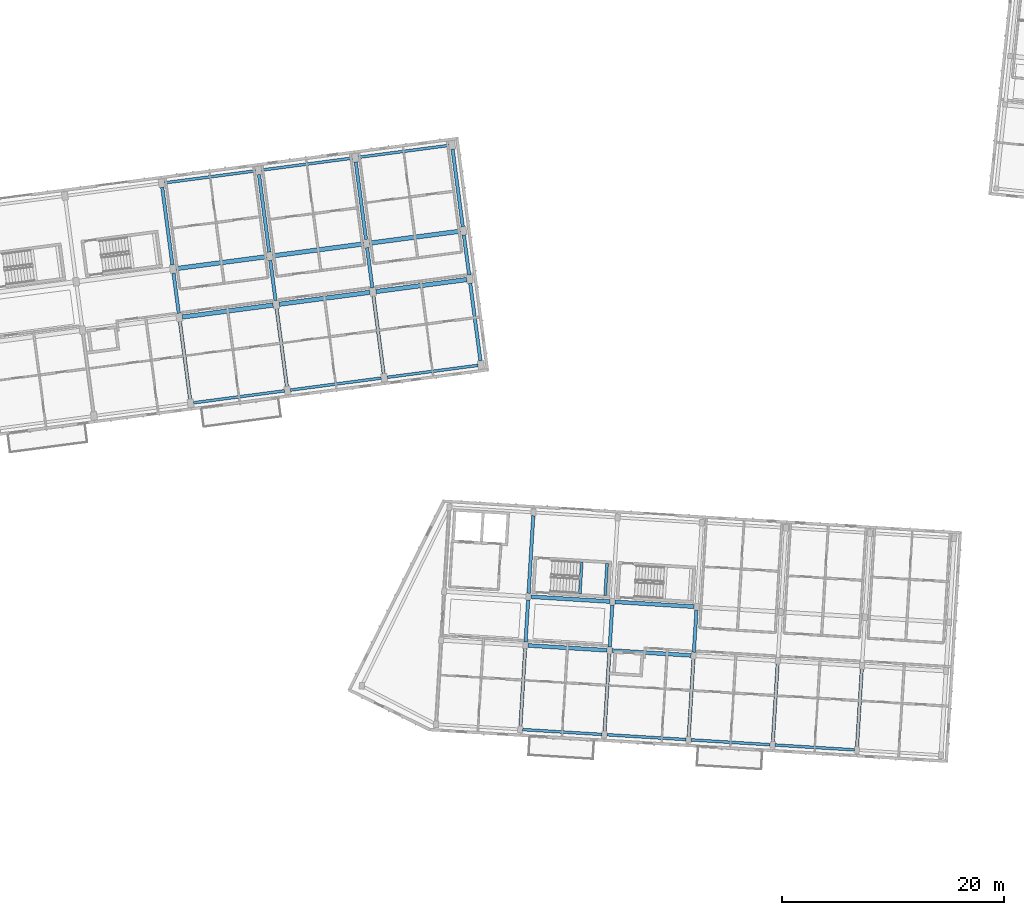
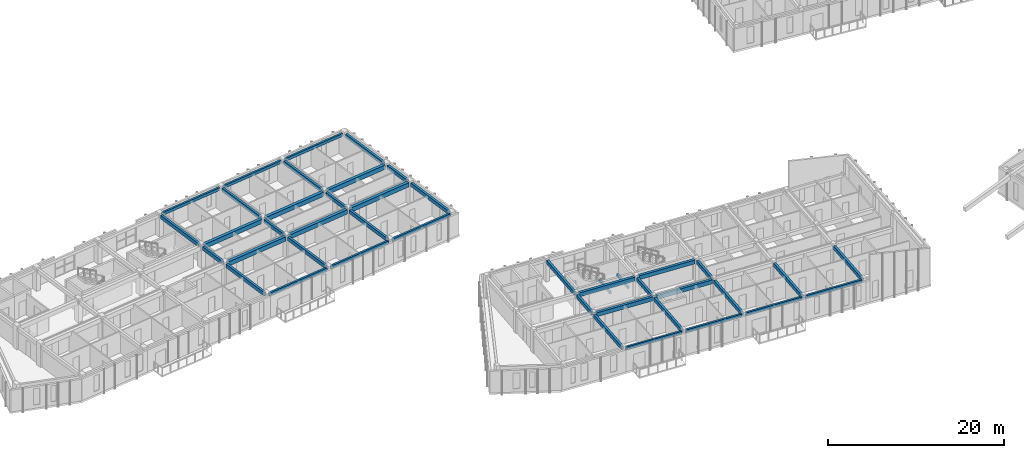
# One storey, part 6 of 64: 43 beams.
"""IFC4 building model written with IfcOpenShell, lengths in metres."""

from ifc_helpers import new_model, si_unit, direction, frame, origin, origin_2d, place, context, subcontext, project, spatial, rectangle, extrude, material, material_profile, profile_set, type_object, element, save


model = new_model("IFC4")

# Units and contexts
model_context = context("Model", 3, precision=1e-05, world=origin(), true_north=direction((0.0, 1.0)))
body_context = subcontext(model_context, "Body", "Model", "MODEL_VIEW")
ifc_project = project(units=[si_unit("LENGTHUNIT", "METRE"), si_unit("AREAUNIT", "SQUARE_METRE"), si_unit("VOLUMEUNIT", "CUBIC_METRE"), si_unit("PLANEANGLEUNIT", "RADIAN"), si_unit("MASSUNIT", "GRAM", prefix="KILO")], contexts=[model_context])

# Site, building, storey
site_placement = place(None, origin())
site = spatial("IfcSite", under=ifc_project, at=site_placement, CompositionType="ELEMENT")
building_placement = place(site_placement, origin())
building = spatial("IfcBuilding", under=site, at=building_placement, Name="Kestramere Prow Commons", CompositionType="ELEMENT")
storey_placement = place(building_placement, frame((0.0, 0.0, 24.64990234375)))
storey = spatial("IfcBuildingStorey", under=building, at=storey_placement, Name="L07", CompositionType="ELEMENT", Elevation=24.64990234375)

# Beams
ifc_material_1 = material(Name="Precast concrete C40/50", Category="concrete")
ifc_material_profile_1 = material_profile(ifc_material_1, rectangle(XDim=0.39990234375, YDim=0.60009765625, at=origin_2d()), Name="PC-BM 400x600")
ifc_profile_set_1 = profile_set([ifc_material_profile_1], Name="Precast concrete C40/50")
beam_type_1 = type_object("IfcBeamType", Name="BM-A1 PC-BM 400x600", PredefinedType="BEAM", material=ifc_profile_set_1)
beam_1_placement = place(storey_placement, frame((36.628662109375, 83.215087890625, 2.7001953125), z_axis=(0.991443917843, 0.130533358852, 0.0), x_axis=(-0.130533358852, 0.991443917843, 0.0)))
element("IfcBeam", 1, at=beam_1_placement, inside=storey, type_object=beam_type_1, Name="Block A L07 Longitudinal Beam 2-4", PredefinedType="BEAM", context=body_context, shape_type="SweptSolid", body=[
    extrude(rectangle(XDim=0.39990234375, YDim=0.60009765625, at=origin_2d()), origin(), (0.0, 0.0, 1.0), 8.25),
])
beam_2_placement = place(storey_placement, frame((45.353515625, 84.36376953125, 2.7001953125), z_axis=(0.991447243185, 0.130508099291, 0.0), x_axis=(-0.130508099291, 0.991447243185, 0.0)))
element("IfcBeam", 2, at=beam_2_placement, inside=storey, type_object=beam_type_1, Name="Block A L07 Longitudinal Beam 2-5", PredefinedType="BEAM", context=body_context, shape_type="SweptSolid", body=[
    extrude(rectangle(XDim=0.39990234375, YDim=0.60009765625, at=origin_2d()), origin(), (0.0, 0.0, 1.0), 8.249755859375),
])
for number, where, z_axis, x_axis, name in (
    (3, (54.078125, 85.51220703125, 2.7001953125), (0.991443917843, 0.130533358852, 0.0), (-0.130533358852, 0.991443917843, 0.0), "Block A L07 Longitudinal Beam 2-6"),
    (4, (36.054443359375, 87.577392578125, 2.7001953125), (0.991443917843, 0.130533358852, 0.0), (-0.130533358852, 0.991443917843, 0.0), "Block A L07 Longitudinal Beam 3-4"),
    (5, (44.779052734375, 88.72607421875, 2.7001953125), (0.991443917843, 0.130533358852, 0.0), (-0.130533358852, 0.991443917843, 0.0), "Block A L07 Longitudinal Beam 3-5"),
):
    element("IfcBeam", number, at=place(storey_placement, frame(where, z_axis=z_axis, x_axis=x_axis)), inside=storey, type_object=beam_type_1, Name=name, PredefinedType="BEAM", context=body_context, shape_type="SweptSolid", body=[
        extrude(rectangle(XDim=0.39990234375, YDim=0.60009765625, at=origin_2d()), origin(), (0.0, 0.0, 1.0), 8.25),
    ])
beam_3_placement = place(storey_placement, frame((53.50390625, 89.874755859375, 2.7001953125), z_axis=(0.991447243185, 0.130508099291, 0.0), x_axis=(-0.130508099291, 0.991447243185, 0.0)))
element("IfcBeam", 6, at=beam_3_placement, inside=storey, type_object=beam_type_1, Name="Block A L07 Longitudinal Beam 3-6", PredefinedType="BEAM", context=body_context, shape_type="SweptSolid", body=[
    extrude(rectangle(XDim=0.39990234375, YDim=0.60009765625, at=origin_2d()), origin(), (0.0, 0.0, 1.0), 8.249755859375),
])
ifc_material_profile_2 = material_profile(ifc_material_1, rectangle(XDim=0.35009765625, YDim=0.550048828125, at=origin_2d()), Name="PC-BM 350x550")
ifc_profile_set_2 = profile_set([ifc_material_profile_2], Name="Precast concrete C40/50")
beam_type_2 = type_object("IfcBeamType", Name="BM-C1 PC-BM 350x550", PredefinedType="BEAM", material=ifc_profile_set_2)
for number, where, z_axis, x_axis, name in (
    (7, (67.7744140625, 53.608154296875, 2.72509765625), (0.998134602239, -0.061051747017, 0.0), (0.061051747017, 0.998134602239, 0.0), "Block C L07 Longitudinal Beam 2-2"),
    (8, (75.360107421875, 53.14404296875, 2.72509765625), (0.998136682403, -0.061017728909, 0.0), (0.061017728909, 0.998136682403, 0.0), "Block C L07 Longitudinal Beam 2-3"),
    (9, (68.04296875, 58.0, 2.72509765625), (0.998134602239, -0.061051747017, 0.0), (0.061051747017, 0.998134602239, 0.0), "Block C L07 Longitudinal Beam 3-2"),
):
    element("IfcBeam", number, at=place(storey_placement, frame(where, z_axis=z_axis, x_axis=x_axis)), inside=storey, type_object=beam_type_2, Name=name, PredefinedType="BEAM", context=body_context, shape_type="SweptSolid", body=[
        extrude(rectangle(XDim=0.35009765625, YDim=0.550048828125, at=origin_2d()), origin(), (0.0, 0.0, 1.0), 7.150146484375),
    ])
beam_4_placement = place(storey_placement, frame((75.62890625, 57.535888671875, 2.72509765625), z_axis=(0.998134474962, -0.061053827828, 0.0), x_axis=(0.061053827828, 0.998134474962, 0.0)))
element("IfcBeam", 10, at=beam_4_placement, inside=storey, type_object=beam_type_2, Name="Block C L07 Longitudinal Beam 3-3", PredefinedType="BEAM", context=body_context, shape_type="SweptSolid", body=[
    extrude(rectangle(XDim=0.35009765625, YDim=0.550048828125, at=origin_2d()), origin(), (0.0, 0.0, 1.0), 7.14990234375),
])
ifc_material_2 = material(Name="Concrete C40/50", Category="concrete")
ifc_material_profile_3 = material_profile(ifc_material_2, rectangle(XDim=0.25, YDim=0.35009765625, at=origin_2d()), Name="PC-BM 250x350")
ifc_profile_set_3 = profile_set([ifc_material_profile_3], Name="Concrete C40/50")
beam_type_3 = type_object("IfcBeamType", Name="BM-ST-TRIM", PredefinedType="BEAM", material=ifc_profile_set_3)
for number, where, z_axis, x_axis, name in (
    (11, (72.462158203125, 58.260498046875, 1.25), (0.061073995712, 0.99813324113, 0.0), (-0.99813324113, 0.061073995712, 0.0), "ST-C1 L07 Landing Trimmer Beam 1A"),
    (12, (74.73779296875, 58.121337890625, 1.25), (0.061073995712, 0.99813324113, 0.0), (-0.99813324113, 0.061073995712, 0.0), "ST-C1 L07 Landing Trimmer Beam 1B"),
):
    element("IfcBeam", number, at=place(storey_placement, frame(where, z_axis=z_axis, x_axis=x_axis)), inside=storey, type_object=beam_type_3, Name=name, PredefinedType="BEAM", context=body_context, shape_type="SweptSolid", body=[
        extrude(rectangle(XDim=0.25, YDim=0.35009765625, at=origin_2d()), origin(), (0.0, 0.0, 1.0), 2.89013671875),
    ])
ifc_material_profile_4 = material_profile(ifc_material_1, rectangle(XDim=0.300048828125, YDim=0.5, at=origin_2d()), Name="PC-BM 300x500")
ifc_profile_set_4 = profile_set([ifc_material_profile_4], Name="Precast concrete C40/50")
beam_type_4 = type_object("IfcBeamType", Name="BM-TIE-01 PC-BM 300x500", PredefinedType="BEAM", material=ifc_profile_set_4)
beam_5_placement = place(storey_placement, frame((37.3251953125, 75.817626953125, 2.75), z_axis=(-0.130519009654, 0.99144580695, 0.0), x_axis=(-0.99144580695, -0.130519009654, 0.0)))
element("IfcBeam", 13, at=beam_5_placement, inside=storey, type_object=beam_type_4, Name="Block A L07 Transverse Beam 4-1", PredefinedType="BEAM", context=body_context, shape_type="SweptSolid", body=[
    extrude(rectangle(XDim=0.300048828125, YDim=0.5, at=origin_2d()), origin(), (0.0, 0.0, 1.0), 7.050048828125),
])
beam_6_placement = place(storey_placement, frame((36.30712890625, 83.551025390625, 2.75), z_axis=(-0.130568711427, 0.991439262687, 0.0), x_axis=(-0.991439262687, -0.130568711427, 0.0)))
element("IfcBeam", 14, at=beam_6_placement, inside=storey, type_object=beam_type_4, Name="Block A L07 Transverse Beam 4-2", PredefinedType="BEAM", context=body_context, shape_type="SweptSolid", body=[
    extrude(rectangle(XDim=0.300048828125, YDim=0.5, at=origin_2d()), origin(), (0.0, 0.0, 1.0), 3.64990234375),
])
for number, where, z_axis, x_axis, name in (
    (15, (35.732666015625, 87.913330078125, 2.75), (-0.130519009654, 0.99144580695, 0.0), (-0.99144580695, -0.130519009654, 0.0), "Block A L07 Transverse Beam 4-3"),
    (16, (46.0498046875, 76.96630859375, 2.75), (-0.130519009654, 0.99144580695, 0.0), (-0.99144580695, -0.130519009654, 0.0), "Block A L07 Transverse Beam 5-1"),
):
    element("IfcBeam", number, at=place(storey_placement, frame(where, z_axis=z_axis, x_axis=x_axis)), inside=storey, type_object=beam_type_4, Name=name, PredefinedType="BEAM", context=body_context, shape_type="SweptSolid", body=[
        extrude(rectangle(XDim=0.300048828125, YDim=0.5, at=origin_2d()), origin(), (0.0, 0.0, 1.0), 7.050048828125),
    ])
beam_7_placement = place(storey_placement, frame((45.03173828125, 84.699462890625, 2.75), z_axis=(-0.130494307047, 0.991449058615, 0.0), x_axis=(-0.991449058615, -0.130494307047, 0.0)))
element("IfcBeam", 17, at=beam_7_placement, inside=storey, type_object=beam_type_4, Name="Block A L07 Transverse Beam 5-2", PredefinedType="BEAM", context=body_context, shape_type="SweptSolid", body=[
    extrude(rectangle(XDim=0.300048828125, YDim=0.5, at=origin_2d()), origin(), (0.0, 0.0, 1.0), 3.650146484375),
])
beam_8_placement = place(storey_placement, frame((44.45751953125, 89.06201171875, 2.75), z_axis=(-0.130523490966, 0.991445216997, 0.0), x_axis=(-0.991445216997, -0.130523490966, 0.0)))
element("IfcBeam", 18, at=beam_8_placement, inside=storey, type_object=beam_type_4, Name="Block A L07 Transverse Beam 5-3", PredefinedType="BEAM", context=body_context, shape_type="SweptSolid", body=[
    extrude(rectangle(XDim=0.300048828125, YDim=0.5, at=origin_2d()), origin(), (0.0, 0.0, 1.0), 7.0498046875),
])
beam_9_placement = place(storey_placement, frame((54.774658203125, 78.114990234375, 2.75), z_axis=(-0.130519009654, 0.99144580695, 0.0), x_axis=(-0.99144580695, -0.130519009654, 0.0)))
element("IfcBeam", 19, at=beam_9_placement, inside=storey, type_object=beam_type_4, Name="Block A L07 Transverse Beam 6-1", PredefinedType="BEAM", context=body_context, shape_type="SweptSolid", body=[
    extrude(rectangle(XDim=0.300048828125, YDim=0.5, at=origin_2d()), origin(), (0.0, 0.0, 1.0), 7.050048828125),
])
beam_10_placement = place(storey_placement, frame((53.756591796875, 85.84814453125, 2.75), z_axis=(-0.13056005306, 0.991440402921, 0.0), x_axis=(-0.991440402921, -0.13056005306, 0.0)))
element("IfcBeam", 20, at=beam_10_placement, inside=storey, type_object=beam_type_4, Name="Block A L07 Transverse Beam 6-2", PredefinedType="BEAM", context=body_context, shape_type="SweptSolid", body=[
    extrude(rectangle(XDim=0.300048828125, YDim=0.5, at=origin_2d()), origin(), (0.0, 0.0, 1.0), 3.650146484375),
])
for number, where, z_axis, x_axis, name in (
    (21, (53.18212890625, 90.210693359375, 2.75), (-0.130523490966, 0.991445216997, 0.0), (-0.991445216997, -0.130523490966, 0.0), "Block A L07 Transverse Beam 6-3"),
    (22, (63.499267578125, 79.263671875, 2.75), (-0.130523490966, 0.991445216997, 0.0), (-0.991445216997, -0.130523490966, 0.0), "Block A L07 Transverse Beam 7-1"),
):
    element("IfcBeam", number, at=place(storey_placement, frame(where, z_axis=z_axis, x_axis=x_axis)), inside=storey, type_object=beam_type_4, Name=name, PredefinedType="BEAM", context=body_context, shape_type="SweptSolid", body=[
        extrude(rectangle(XDim=0.300048828125, YDim=0.5, at=origin_2d()), origin(), (0.0, 0.0, 1.0), 7.0498046875),
    ])
beam_11_placement = place(storey_placement, frame((62.481201171875, 86.996826171875, 2.75), z_axis=(-0.130494307047, 0.991449058615, 0.0), x_axis=(-0.991449058615, -0.130494307047, 0.0)))
element("IfcBeam", 23, at=beam_11_placement, inside=storey, type_object=beam_type_4, Name="Block A L07 Transverse Beam 7-2", PredefinedType="BEAM", context=body_context, shape_type="SweptSolid", body=[
    extrude(rectangle(XDim=0.300048828125, YDim=0.5, at=origin_2d()), origin(), (0.0, 0.0, 1.0), 3.650146484375),
])
beam_12_placement = place(storey_placement, frame((61.906982421875, 91.359130859375, 2.75), z_axis=(-0.130519009654, 0.99144580695, 0.0), x_axis=(-0.99144580695, -0.130519009654, 0.0)))
element("IfcBeam", 24, at=beam_12_placement, inside=storey, type_object=beam_type_4, Name="Block A L07 Transverse Beam 7-3", PredefinedType="BEAM", context=body_context, shape_type="SweptSolid", body=[
    extrude(rectangle(XDim=0.300048828125, YDim=0.5, at=origin_2d()), origin(), (0.0, 0.0, 1.0), 7.050048828125),
])
beam_13_placement = place(storey_placement, frame((67.104248046875, 46.33544921875, 2.75), z_axis=(0.061034188237, 0.998135676081, 0.0), x_axis=(-0.998135676081, 0.061034188237, 0.0)))
element("IfcBeam", 25, at=beam_13_placement, inside=storey, type_object=beam_type_4, Name="Block C L07 Transverse Beam 2-1", PredefinedType="BEAM", context=body_context, shape_type="SweptSolid", body=[
    extrude(rectangle(XDim=0.300048828125, YDim=0.5, at=origin_2d()), origin(), (0.0, 0.0, 1.0), 7.0),
])
beam_14_placement = place(storey_placement, frame((67.568115234375, 53.92138671875, 2.75), z_axis=(0.061038214251, 0.99813542989, 0.0), x_axis=(-0.99813542989, 0.061038214251, 0.0)))
element("IfcBeam", 26, at=beam_14_placement, inside=storey, type_object=beam_type_4, Name="Block C L07 Transverse Beam 2-2", PredefinedType="BEAM", context=body_context, shape_type="SweptSolid", body=[
    extrude(rectangle(XDim=0.300048828125, YDim=0.5, at=origin_2d()), origin(), (0.0, 0.0, 1.0), 3.7998046875),
])
beam_15_placement = place(storey_placement, frame((67.836669921875, 58.31298828125, 2.75), z_axis=(0.061068934883, 0.99813355078, 0.0), x_axis=(-0.99813355078, 0.061068934883, 0.0)))
element("IfcBeam", 27, at=beam_15_placement, inside=storey, type_object=beam_type_4, Name="Block C L07 Transverse Beam 2-3", PredefinedType="BEAM", context=body_context, shape_type="SweptSolid", body=[
    extrude(rectangle(XDim=0.300048828125, YDim=0.5, at=origin_2d()), origin(), (0.0, 0.0, 1.0), 7.000244140625),
])
beam_16_placement = place(storey_placement, frame((74.68994140625, 45.87158203125, 2.75), z_axis=(0.061036313012, 0.998135546153, 0.0), x_axis=(-0.998135546153, 0.061036313012, 0.0)))
element("IfcBeam", 28, at=beam_16_placement, inside=storey, type_object=beam_type_4, Name="Block C L07 Transverse Beam 3-1", PredefinedType="BEAM", context=body_context, shape_type="SweptSolid", body=[
    extrude(rectangle(XDim=0.300048828125, YDim=0.5, at=origin_2d()), origin(), (0.0, 0.0, 1.0), 6.999755859375),
])
beam_17_placement = place(storey_placement, frame((75.154052734375, 53.457275390625, 2.75), z_axis=(0.061034300063, 0.998135669243, 0.0), x_axis=(-0.998135669243, 0.061034300063, 0.0)))
element("IfcBeam", 29, at=beam_17_placement, inside=storey, type_object=beam_type_4, Name="Block C L07 Transverse Beam 3-2", PredefinedType="BEAM", context=body_context, shape_type="SweptSolid", body=[
    extrude(rectangle(XDim=0.300048828125, YDim=0.5, at=origin_2d()), origin(), (0.0, 0.0, 1.0), 3.800048828125),
])
beam_18_placement = place(storey_placement, frame((82.27587890625, 45.407470703125, 2.75), z_axis=(0.061034188237, 0.998135676081, 0.0), x_axis=(-0.998135676081, 0.061034188237, 0.0)))
element("IfcBeam", 30, at=beam_18_placement, inside=storey, type_object=beam_type_4, Name="Block C L07 Transverse Beam 4-1", PredefinedType="BEAM", context=body_context, shape_type="SweptSolid", body=[
    extrude(rectangle(XDim=0.300048828125, YDim=0.5, at=origin_2d()), origin(), (0.0, 0.0, 1.0), 7.0),
])
beam_19_placement = place(storey_placement, frame((82.73974609375, 52.993408203125, 2.75), z_axis=(0.061034300063, 0.998135669243, 0.0), x_axis=(-0.998135669243, 0.061034300063, 0.0)))
element("IfcBeam", 31, at=beam_19_placement, inside=storey, type_object=beam_type_4, Name="Block C L07 Transverse Beam 4-2", PredefinedType="BEAM", context=body_context, shape_type="SweptSolid", body=[
    extrude(rectangle(XDim=0.300048828125, YDim=0.5, at=origin_2d()), origin(), (0.0, 0.0, 1.0), 3.800048828125),
])
for number, where, z_axis, x_axis, name in (
    (32, (89.861572265625, 44.943603515625, 2.75), (0.061071060859, 0.998133420704, 0.0), (-0.998133420704, 0.061071060859, 0.0), "Block C L07 Transverse Beam 5-1"),
    (33, (97.447509765625, 44.4794921875, 2.75), (0.061034188237, 0.998135676081, 0.0), (-0.998135676081, 0.061034188237, 0.0), "Block C L07 Transverse Beam 6-1"),
):
    element("IfcBeam", number, at=place(storey_placement, frame(where, z_axis=z_axis, x_axis=x_axis)), inside=storey, type_object=beam_type_4, Name=name, PredefinedType="BEAM", context=body_context, shape_type="SweptSolid", body=[
        extrude(rectangle(XDim=0.300048828125, YDim=0.5, at=origin_2d()), origin(), (0.0, 0.0, 1.0), 7.0),
    ])
ifc_material_profile_5 = material_profile(ifc_material_1, rectangle(XDim=0.25, YDim=0.39990234375, at=origin_2d()), Name="PC-SP 250x400")
ifc_profile_set_5 = profile_set([ifc_material_profile_5], Name="Precast concrete C40/50")
beam_type_5 = type_object("IfcBeamType", Name="SP-EXT-01 PC-SP 250x400", PredefinedType="SPANDREL", material=ifc_profile_set_5)
for number, where, z_axis, x_axis, name in (
    (34, (37.646728515625, 75.481689453125, 2.800048828125), (0.991443917843, 0.130533358852, 0.0), (-0.130533358852, 0.991443917843, 0.0), "Block A L07 Longitudinal Beam 1-4"),
    (35, (46.37158203125, 76.63037109375, 2.800048828125), (0.991443917843, 0.130533358852, 0.0), (-0.130533358852, 0.991443917843, 0.0), "Block A L07 Longitudinal Beam 1-5"),
    (36, (55.09619140625, 77.779052734375, 2.800048828125), (0.991443917843, 0.130533358852, 0.0), (-0.130533358852, 0.991443917843, 0.0), "Block A L07 Longitudinal Beam 1-6"),
):
    element("IfcBeam", number, at=place(storey_placement, frame(where, z_axis=z_axis, x_axis=x_axis)), inside=storey, type_object=beam_type_5, Name=name, PredefinedType="SPANDREL", context=body_context, shape_type="SweptSolid", body=[
        extrude(rectangle(XDim=0.25, YDim=0.39990234375, at=origin_2d()), origin(), (0.0, 0.0, 1.0), 8.25),
    ])
beam_20_placement = place(storey_placement, frame((35.036376953125, 95.310791015625, 2.800048828125), z_axis=(0.991447243185, 0.130508099291, 0.0), x_axis=(-0.130508099291, 0.991447243185, 0.0)))
element("IfcBeam", 37, at=beam_20_placement, inside=storey, type_object=beam_type_5, Name="Block A L07 Longitudinal Beam 4-4", PredefinedType="SPANDREL", context=body_context, shape_type="SweptSolid", body=[
    extrude(rectangle(XDim=0.25, YDim=0.39990234375, at=origin_2d()), origin(), (0.0, 0.0, 1.0), 8.249755859375),
])
for number, where, z_axis, x_axis, name in (
    (38, (43.760986328125, 96.459228515625, 2.800048828125), (0.991443917843, 0.130533358852, 0.0), (-0.130533358852, 0.991443917843, 0.0), "Block A L07 Longitudinal Beam 4-5"),
    (39, (52.485595703125, 97.60791015625, 2.800048828125), (0.991443917843, 0.130533358852, 0.0), (-0.130533358852, 0.991443917843, 0.0), "Block A L07 Longitudinal Beam 4-6"),
):
    element("IfcBeam", number, at=place(storey_placement, frame(where, z_axis=z_axis, x_axis=x_axis)), inside=storey, type_object=beam_type_5, Name=name, PredefinedType="SPANDREL", context=body_context, shape_type="SweptSolid", body=[
        extrude(rectangle(XDim=0.25, YDim=0.39990234375, at=origin_2d()), origin(), (0.0, 0.0, 1.0), 8.25),
    ])
for number, where, z_axis, x_axis, name in (
    (40, (67.310302734375, 46.022216796875, 2.800048828125), (0.998134602239, -0.061051747017, 0.0), (0.061051747017, 0.998134602239, 0.0), "Block C L07 Longitudinal Beam 1-2"),
    (41, (74.896240234375, 45.558349609375, 2.800048828125), (0.998134602239, -0.061051747017, 0.0), (0.061051747017, 0.998134602239, 0.0), "Block C L07 Longitudinal Beam 1-3"),
    (42, (82.48193359375, 45.09423828125, 2.800048828125), (0.998136682403, -0.061017728909, 0.0), (0.061017728909, 0.998136682403, 0.0), "Block C L07 Longitudinal Beam 1-4"),
    (43, (90.06787109375, 44.63037109375, 2.800048828125), (0.998134602239, -0.061051747017, 0.0), (0.061051747017, 0.998134602239, 0.0), "Block C L07 Longitudinal Beam 1-5"),
):
    element("IfcBeam", number, at=place(storey_placement, frame(where, z_axis=z_axis, x_axis=x_axis)), inside=storey, type_object=beam_type_5, Name=name, PredefinedType="SPANDREL", context=body_context, shape_type="SweptSolid", body=[
        extrude(rectangle(XDim=0.25, YDim=0.39990234375, at=origin_2d()), origin(), (0.0, 0.0, 1.0), 7.150146484375),
    ])

save(model, "model.ifc")
